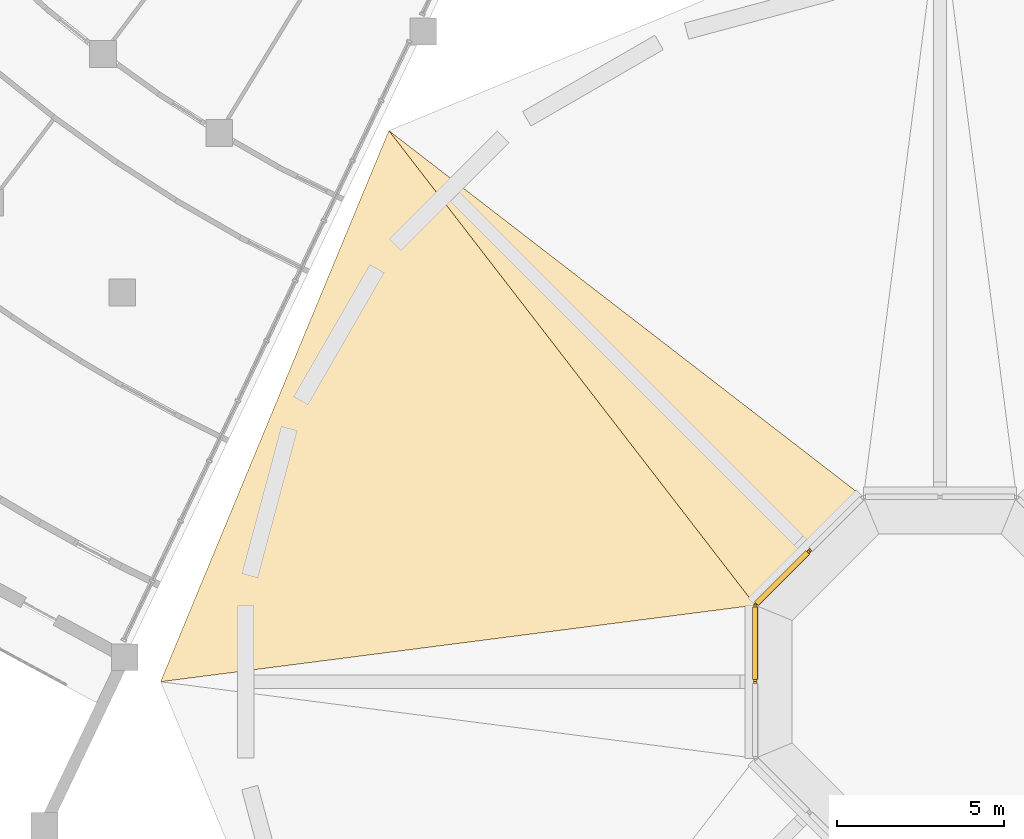
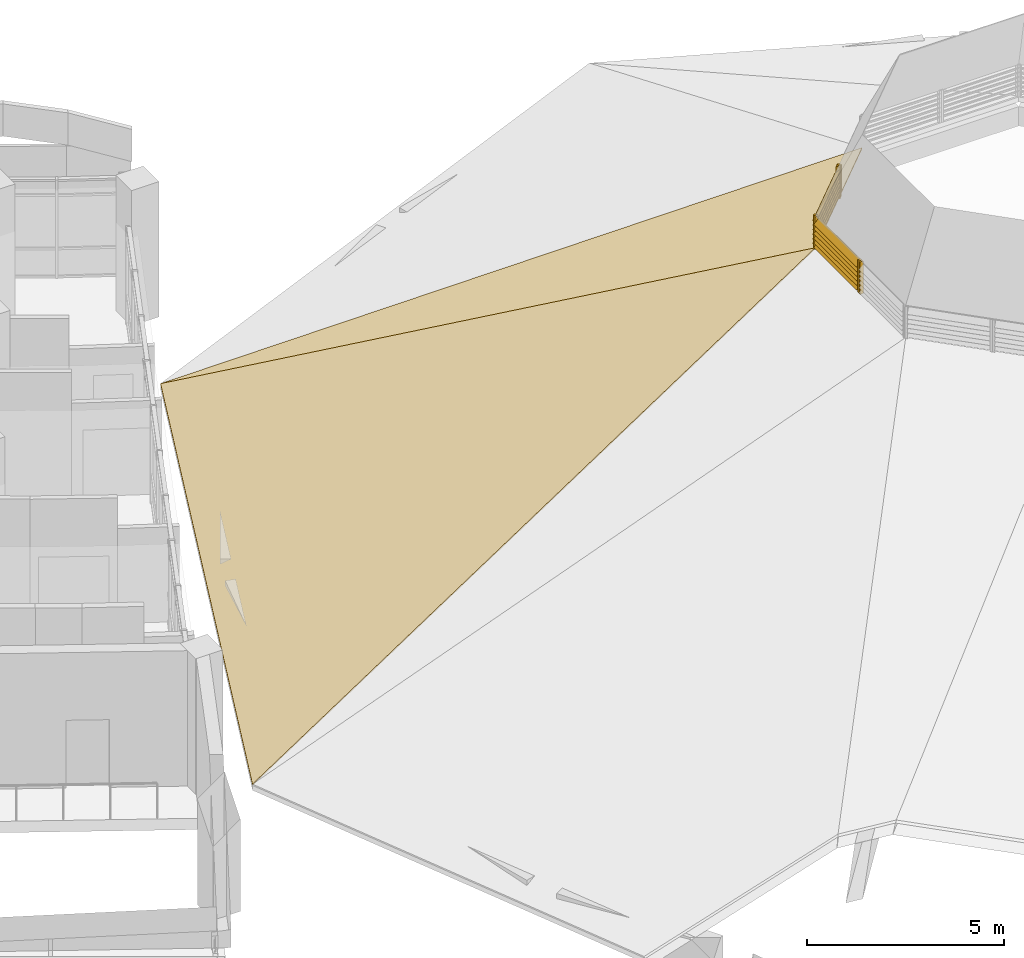
# One storey, part 115 of 137: 18 shading devices, 2 coverings.
"""IFC4 building model written with IfcOpenShell, lengths in metres."""

import ifcopenshell
import ifcopenshell.guid

model = None  # the IFC model being written
_history = None  # IfcOwnerHistory: only IFC2X3 demands one
_inside = {}  # id of a spatial element -> (the spatial element, [elements in it])
_under = {}  # id of a project, library or spatial element -> (it, [spatial elements below it])
_declared = {}  # id of a project -> (the project, [libraries it declares])
_typed = {}  # id of a type object -> (the type object, [elements of that type])
_made_of = {}  # id of a material, layer set ... -> (it, [elements and type objects made of it])


def new_model(schema):
    """Start an empty IFC model of exactly this schema.

    Asked for "IFC4X3", IfcOpenShell would pick the latest addendum, in which some entities
    have other attributes; the version numbers below select the first issue.
    IFC2X3 requires an IfcOwnerHistory on every rooted entity: one is made here for all.
    """
    global model, _history
    if schema == "IFC4X3":
        model = ifcopenshell.file(schema_version=(4, 3, 0, 0))
    else:
        model = ifcopenshell.file(schema=schema)
    _inside.clear()
    _under.clear()
    _declared.clear()
    _typed.clear()
    _made_of.clear()
    _history = None
    if model.schema == "IFC2X3":
        org = make("IfcOrganization", Name="unknown")
        user = make(
            "IfcPersonAndOrganization",
            ThePerson=make("IfcPerson", FamilyName="unknown"),
            TheOrganization=org,
        )
        app = make(
            "IfcApplication",
            ApplicationDeveloper=org,
            Version="unknown",
            ApplicationFullName="unknown",
            ApplicationIdentifier="unknown",
        )
        _history = make(
            "IfcOwnerHistory",
            OwningUser=user,
            OwningApplication=app,
            ChangeAction="ADDED",
            CreationDate=0,
        )
    return model


def make(cls, **values):
    """One entity of the class cls with the attributes given. An attribute that is None is left unset."""
    return model.create_entity(
        cls, **{name: value for name, value in values.items() if value is not None}
    )


def rooted(cls, **values):
    """An entity with a GlobalId (a new one), such as an element, a storey or a relation."""
    return make(cls, GlobalId=ifcopenshell.guid.new(), OwnerHistory=_history, **values)


def si_unit(unit_type, name, prefix=None):
    """IfcSIUnit, for example si_unit("LENGTHUNIT", "METRE", prefix="MILLI")."""
    return make("IfcSIUnit", UnitType=unit_type, Prefix=prefix, Name=name)


def assignment(units):
    """IfcUnitAssignment: the units of a project."""
    return None if units is None else make("IfcUnitAssignment", Units=units)


def point(xyz):
    """IfcCartesianPoint."""
    return None if xyz is None else make("IfcCartesianPoint", Coordinates=xyz)


def direction(xyz):
    """IfcDirection."""
    return None if xyz is None else make("IfcDirection", DirectionRatios=xyz)


def frame(location, z_axis=None, x_axis=None):
    """IfcAxis2Placement3D, a coordinate frame: its origin and axes. An axis left out is left unset."""
    return make(
        "IfcAxis2Placement3D",
        Location=point(location),
        Axis=direction(z_axis),
        RefDirection=direction(x_axis),
    )


def frame_2d(location, x_axis=None):
    """IfcAxis2Placement2D, a coordinate frame in the plane: its origin and x axis."""
    return make(
        "IfcAxis2Placement2D", Location=point(location), RefDirection=direction(x_axis)
    )


def origin():
    """The frame at (0, 0, 0) with its axes left unset."""
    return frame((0.0, 0.0, 0.0))


def origin_2d():
    """The frame at (0, 0) in the plane with its x axis left unset."""
    return frame_2d((0.0, 0.0))


def place(relative_to, where):
    """IfcLocalPlacement: puts the frame where relative to a parent placement (None: the world)."""
    return make(
        "IfcLocalPlacement", PlacementRelTo=relative_to, RelativePlacement=where
    )


def context(
    kind, dimensions, precision=None, world=None, true_north=None, identifier=None
):
    """IfcGeometricRepresentationContext, for example the 3D "Model" context."""
    return make(
        "IfcGeometricRepresentationContext",
        ContextIdentifier=identifier,
        ContextType=kind,
        CoordinateSpaceDimension=dimensions,
        Precision=precision,
        WorldCoordinateSystem=world,
        TrueNorth=true_north,
    )


def subcontext(parent, identifier, kind, view, scale=None):
    """IfcGeometricRepresentationSubContext, for example "Body" below "Model"."""
    return make(
        "IfcGeometricRepresentationSubContext",
        ContextIdentifier=identifier,
        ContextType=kind,
        ParentContext=parent,
        TargetScale=scale,
        TargetView=view,
    )


def project(units=None, contexts=None):
    """IfcProject with its units and contexts."""
    return rooted(
        "IfcProject",
        Name="project",
        RepresentationContexts=contexts,
        UnitsInContext=assignment(units),
    )


def spatial(cls, under=None, at=None, **own):
    """A site, building, storey or space (cls), placed at a placement, below another one or the project."""
    s = rooted(cls, ObjectPlacement=at, **own)
    if under is not None:
        _under.setdefault(under.id(), (under, []))[1].append(s)
    return s


def polyline(points):
    """IfcPolyline through the points."""
    return make("IfcPolyline", Points=[point(p) for p in points])


def profile(cls, at=None, kind="AREA", **sizes):
    """A parametric profile (cls). Its sizes go by their IFC names, for example OverallWidth=200.0."""
    return make(cls, ProfileType=kind, Position=at, **sizes)


def rectangle(**sizes):
    """IfcRectangleProfileDef."""
    return profile("IfcRectangleProfileDef", **sizes)


def outline(outer, holes=None, kind="AREA"):
    """IfcArbitraryClosedProfileDef: a profile drawn as a closed curve; with holes, ...WithVoids."""
    if holes is None:
        return make("IfcArbitraryClosedProfileDef", ProfileType=kind, OuterCurve=outer)
    return make(
        "IfcArbitraryProfileDefWithVoids",
        ProfileType=kind,
        OuterCurve=outer,
        InnerCurves=holes,
    )


def extrude(swept, where, along, depth):
    """IfcExtrudedAreaSolid: the profile swept, set in the frame where, extruded along a direction by depth."""
    return make(
        "IfcExtrudedAreaSolid",
        SweptArea=swept,
        Position=where,
        ExtrudedDirection=direction(along),
        Depth=depth,
    )


def shape(context_of_items, identifier, shape_type, items):
    """IfcShapeRepresentation: the items that make up one representation, for example the "Body"."""
    return make(
        "IfcShapeRepresentation",
        ContextOfItems=context_of_items,
        RepresentationIdentifier=identifier,
        RepresentationType=shape_type,
        Items=items,
    )


def material(Name=None, Category=None):
    """IfcMaterial."""
    return make("IfcMaterial", Name=Name, Category=Category)


def layer(
    of_material, thickness, ventilated=None, Name=None, Category=None, Priority=None
):
    """IfcMaterialLayer: one layer of a wall or slab, of a material (None: an air gap)."""
    return make(
        "IfcMaterialLayer",
        Material=of_material,
        LayerThickness=thickness,
        IsVentilated=ventilated,
        Name=Name,
        Category=Category,
        Priority=Priority,
    )


def layer_set(layers, Name=None):
    """IfcMaterialLayerSet."""
    return make("IfcMaterialLayerSet", MaterialLayers=layers, LayerSetName=Name)


def material_profile(
    of_material, cross_section, Name=None, Category=None, Priority=None
):
    """IfcMaterialProfile: a cross section and its material."""
    return make(
        "IfcMaterialProfile",
        Name=Name,
        Material=of_material,
        Profile=cross_section,
        Priority=Priority,
        Category=Category,
    )


def profile_set(profiles, Name=None, composite=None):
    """IfcMaterialProfileSet."""
    return make(
        "IfcMaterialProfileSet",
        Name=Name,
        MaterialProfiles=profiles,
        CompositeProfile=composite,
    )


def made_of(thing, what):
    """Note that an element or type object is made of a material, layer set ...; save() writes the relation."""
    if what is not None:
        _made_of.setdefault(what.id(), (what, []))[1].append(thing)
    return thing


def type_object(cls, material=None, **own):
    """A type object (cls), such as IfcWallType, which elements share."""
    return made_of(rooted(cls, **own), material)


def element(
    cls,
    number,
    at=None,
    inside=None,
    cuts=None,
    type_object=None,
    material=None,
    context=None,
    identifier="Body",
    shape_type=None,
    held_by="IfcProductDefinitionShape",
    body=None,
    shapes=None,
    **own,
):
    """One element of the class cls, such as IfcWall. Its Tag is "e" and its number.

    at: its placement. inside: the storey or other place that contains it. cuts: it is an
    opening in that element (IfcRelVoidsElement). A single representation is given by context,
    identifier, shape_type and body (its items); several are given by shapes. held_by: the class
    of the entity that holds the representations. save() writes the other relations.
    """
    e = rooted(cls, Tag="e%d" % number, ObjectPlacement=at, **own)
    if body is not None:
        shapes = [shape(context, identifier, shape_type, body)]
    if shapes is not None:
        e.Representation = make(held_by, Representations=shapes)
    if inside is not None:
        _inside.setdefault(inside.id(), (inside, []))[1].append(e)
    if cuts is not None:
        rooted(
            "IfcRelVoidsElement", RelatingBuildingElement=cuts, RelatedOpeningElement=e
        )
    if type_object is not None:
        _typed.setdefault(type_object.id(), (type_object, []))[1].append(e)
    return made_of(e, material)


def aggregate(whole, parts):
    """IfcRelAggregates: a whole, such as a stair, and the parts it consists of."""
    return rooted("IfcRelAggregates", RelatingObject=whole, RelatedObjects=parts)


def save(model, path):
    """Write the relations noted so far, then the file.

    IfcRelAggregates (storeys below a building ...), IfcRelContainedInSpatialStructure (elements
    in a storey), IfcRelDefinesByType, IfcRelAssociatesMaterial and IfcRelDeclares: one each for
    every whole, place, type object, material and project.
    """
    for whole, parts in _under.values():
        aggregate(whole, parts)
    for where, things in _inside.values():
        rooted(
            "IfcRelContainedInSpatialStructure",
            RelatedElements=things,
            RelatingStructure=where,
        )
    for kind, things in _typed.values():
        rooted("IfcRelDefinesByType", RelatedObjects=things, RelatingType=kind)
    for what, things in _made_of.values():
        rooted("IfcRelAssociatesMaterial", RelatedObjects=things, RelatingMaterial=what)
    for by, libraries in _declared.values():
        rooted("IfcRelDeclares", RelatingContext=by, RelatedDefinitions=libraries)
    model.write(path)


model = new_model("IFC4")

# Units and contexts
model_context = context("Model", 3, precision=1e-05, world=origin(), true_north=direction((0.0, 1.0)))
body_context = subcontext(model_context, "Body", "Model", "MODEL_VIEW")
ifc_project = project(units=[si_unit("LENGTHUNIT", "METRE"), si_unit("AREAUNIT", "SQUARE_METRE"), si_unit("VOLUMEUNIT", "CUBIC_METRE"), si_unit("PLANEANGLEUNIT", "RADIAN"), si_unit("MASSUNIT", "GRAM", prefix="KILO")], contexts=[model_context])

# Site, building, storey
site_placement = place(None, origin())
site = spatial("IfcSite", under=ifc_project, at=site_placement, CompositionType="ELEMENT")
building_placement = place(site_placement, origin())
building = spatial("IfcBuilding", under=site, at=building_placement, Name="Bougainvillea Quay General Hospital", CompositionType="ELEMENT")
storey_placement = place(building_placement, frame((0.0, 0.0, 16.800048828125)))
storey = spatial("IfcBuildingStorey", under=building, at=storey_placement, Name="L03", CompositionType="ELEMENT", Elevation=16.800048828125)

# Shading devices
ifc_material_1 = material(Name="Extruded aluminium louvre frame, powder-coated grey", Category="aluminium")
ifc_material_profile_1 = material_profile(ifc_material_1, rectangle(XDim=0.10009765625, YDim=0.06005859375, at=origin_2d()))
ifc_profile_set_1 = profile_set([ifc_material_profile_1], Name="Extruded aluminium louvre frame, powder-coated grey")
shading_device_type_1 = type_object("IfcShadingDeviceType", Name="Louvre frame post 100x60", PredefinedType="JALOUSIE", material=ifc_profile_set_1)
for number, where, z_axis, x_axis, name in (
    (1, (105.3017578125, 77.940673828125, 9.0), (0.0, 0.0, 1.0), (0.707106781187, -0.707106781187, 0.0), "Louvre post V04.2"),
    (2, (105.25927734375, 77.898193359375, 9.0), (0.0, 0.0, 1.0), (0.707106781187, -0.707106781187, 0.0), "Louvre post V05.1"),
    (3, (103.67822265625, 76.317138671875, 9.0), (0.0, 0.0, 1.0), (0.707106781187, -0.707106781187, 0.0), "Louvre post V05.2"),
    (4, (103.656982421875, 76.26611328125, 9.0), (0.0, 0.0, 1.0), (1.0, 0.0, 0.0), "Louvre post V06.1"),
    (5, (103.656982421875, 74.030029296875, 9.0), (0.0, 0.0, 1.0), (1.0, 0.0, 0.0), "Louvre post V06.2"),
    (6, (103.656982421875, 73.969970703125, 9.0), (0.0, 0.0, 1.0), (1.0, 0.0, 0.0), "Louvre post V07.1"),
):
    element("IfcShadingDevice", number, at=place(storey_placement, frame(where, z_axis=z_axis, x_axis=x_axis)), inside=storey, type_object=shading_device_type_1, Name=name, PredefinedType="JALOUSIE", context=body_context, shape_type="SweptSolid", body=[
        extrude(rectangle(XDim=0.10009765625, YDim=0.06005859375, at=origin_2d()), origin(), (0.0, 0.0, 1.0), 1.0),
    ])

# Coverings
ifc_material_2 = material(Name="Standing seam zinc-titanium roofing, grey")
ifc_layer = layer(ifc_material_2, 0.0400390625)
ifc_layer_set = layer_set([ifc_layer], Name="Standing seam zinc-titanium roofing, grey")
covering_type = type_object("IfcCoveringType", Name="Standing seam metal roofing RP1 40", PredefinedType="ROOFING", material=ifc_layer_set)
covering_1_placement = place(storey_placement, frame((92.66796875, 90.531982421875, 0.0), z_axis=(-0.318535569119, 0.318535569119, 0.892787870892), x_axis=(0.707899830159, -0.546436851628, 0.447531672223)))
element("IfcCovering", 7, at=covering_1_placement, inside=storey, type_object=covering_type, Name="Roof covering RP106", PredefinedType="ROOFING", context=body_context, shape_type="SweptSolid", body=[
    extrude(outline(polyline([(0.0, 0.0), (20.110308518042036, 1.6653345369377348e-15), (19.58602687388627, -4.562023672257633), (0.0, 0.0)])), origin(), (-0.447531672223, 0.051431701758, -0.892787870892), 0.0400390625),
])
covering_2_placement = place(storey_placement, frame((103.656982421875, 76.2958984375, 9.0), z_axis=(-0.461671016752, 0.191234000574, 0.866192489759), x_axis=(-0.546436851628, 0.707899830159, -0.447531672223)))
element("IfcCovering", 8, at=covering_2_placement, inside=storey, type_object=covering_type, Name="Roof covering RP107", PredefinedType="ROOFING", context=body_context, shape_type="SweptSolid", body=[
    extrude(outline(polyline([(0.0, 0.0), (20.110308518042036, -8.881784197001252e-16), (12.149266099116737, 16.025666481029052), (0.0, 0.0)])), origin(), (0.447531672223, 0.22231952915, -0.866192489759), 0.0400390625),
])

# Shading devices
ifc_material_3 = material(Name="Extruded aluminium storm louvre blade, powder-coated grey", Category="aluminium")
ifc_material_profile_2 = material_profile(ifc_material_3, rectangle(XDim=0.219970703125, YDim=0.014892578125, at=origin_2d()))
ifc_profile_set_2 = profile_set([ifc_material_profile_2], Name="Extruded aluminium storm louvre blade, powder-coated grey")
shading_device_type_2 = type_object("IfcShadingDeviceType", Name="Storm louvre blade 220", PredefinedType="JALOUSIE", material=ifc_profile_set_2)
for number, where, z_axis, x_axis, name in (
    (9, (105.238037109375, 77.876953125, 9.142822265625), (-0.707106781187, -0.707106781187, 0.0), (0.5, -0.5, 0.707106781187), "Storm louvre blade V05.1"),
    (10, (105.238037109375, 77.876953125, 9.28564453125), (-0.707106781187, -0.707106781187, 0.0), (0.5, -0.5, 0.707106781187), "Storm louvre blade V05.2"),
    (11, (105.238037109375, 77.876953125, 9.428466796875), (-0.707106781187, -0.707106781187, 0.0), (0.5, -0.5, 0.707106781187), "Storm louvre blade V05.3"),
    (12, (105.238037109375, 77.876953125, 9.5712890625), (-0.707106781187, -0.707106781187, 0.0), (0.5, -0.5, 0.707106781187), "Storm louvre blade V05.4"),
    (13, (105.238037109375, 77.876953125, 9.71435546875), (-0.707106781187, -0.707106781187, 0.0), (0.5, -0.5, 0.707106781187), "Storm louvre blade V05.5"),
    (14, (105.238037109375, 77.876953125, 9.857177734375), (-0.707106781187, -0.707106781187, 0.0), (0.5, -0.5, 0.707106781187), "Storm louvre blade V05.6"),
):
    element("IfcShadingDevice", number, at=place(storey_placement, frame(where, z_axis=z_axis, x_axis=x_axis)), inside=storey, type_object=shading_device_type_2, Name=name, PredefinedType="JALOUSIE", context=body_context, shape_type="SweptSolid", body=[
        extrude(rectangle(XDim=0.219970703125, YDim=0.014892578125, at=origin_2d()), origin(), (0.0, 0.0, 1.0), 2.17578125),
    ])
for number, where, z_axis, x_axis, name in (
    (15, (103.656982421875, 76.236083984375, 9.142822265625), (0.0, -1.0, 0.0), (0.707106781187, 0.0, 0.707106781187), "Storm louvre blade V06.1"),
    (16, (103.656982421875, 76.236083984375, 9.28564453125), (0.0, -1.0, 0.0), (0.707106781187, 0.0, 0.707106781187), "Storm louvre blade V06.2"),
    (17, (103.656982421875, 76.236083984375, 9.428466796875), (0.0, -1.0, 0.0), (0.707106781187, 0.0, 0.707106781187), "Storm louvre blade V06.3"),
    (18, (103.656982421875, 76.236083984375, 9.5712890625), (0.0, -1.0, 0.0), (0.707106781187, 0.0, 0.707106781187), "Storm louvre blade V06.4"),
    (19, (103.656982421875, 76.236083984375, 9.71435546875), (0.0, -1.0, 0.0), (0.707106781187, 0.0, 0.707106781187), "Storm louvre blade V06.5"),
    (20, (103.656982421875, 76.236083984375, 9.857177734375), (0.0, -1.0, 0.0), (0.707106781187, 0.0, 0.707106781187), "Storm louvre blade V06.6"),
):
    element("IfcShadingDevice", number, at=place(storey_placement, frame(where, z_axis=z_axis, x_axis=x_axis)), inside=storey, type_object=shading_device_type_2, Name=name, PredefinedType="JALOUSIE", context=body_context, shape_type="SweptSolid", body=[
        extrude(rectangle(XDim=0.219970703125, YDim=0.014892578125, at=origin_2d()), origin(), (0.0, 0.0, 1.0), 2.176025390625),
    ])

save(model, "model.ifc")
